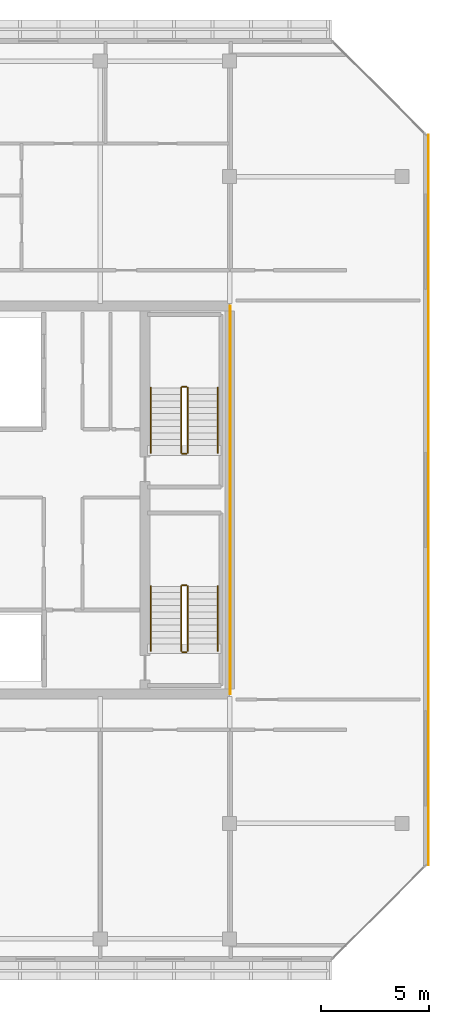
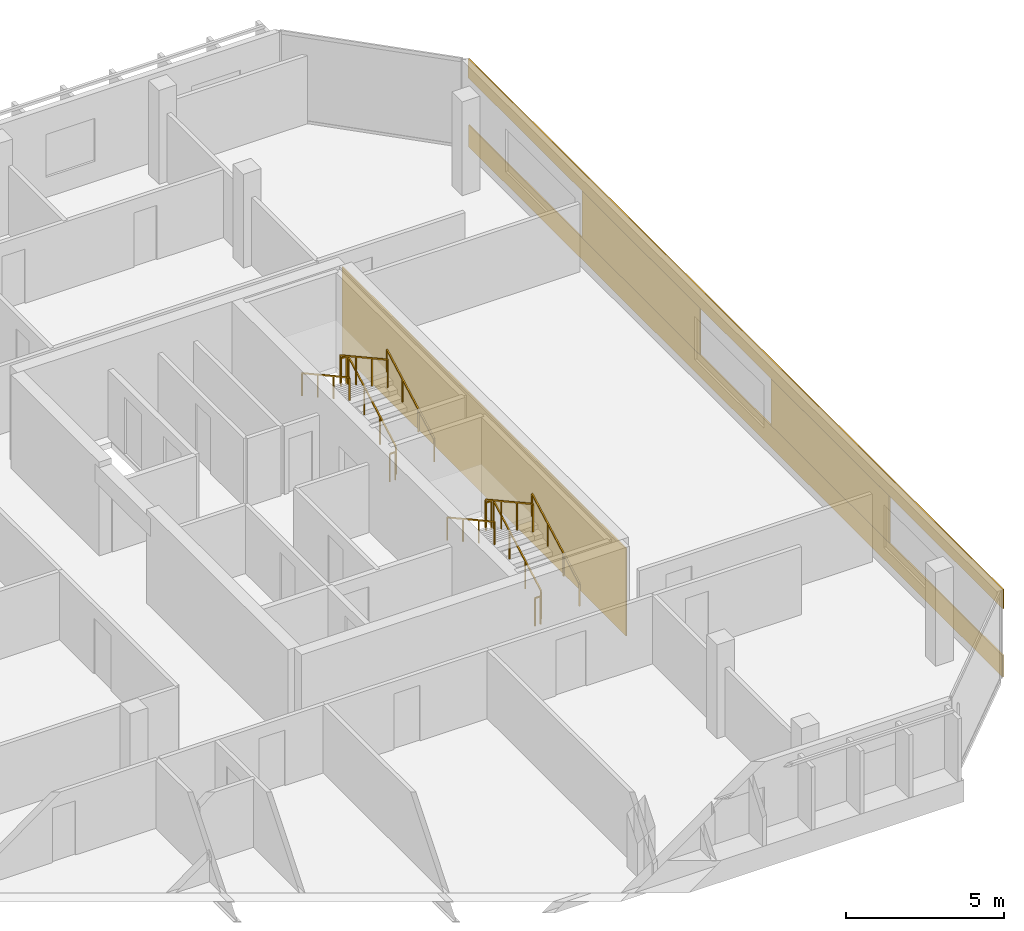
# One storey, part 28 of 28: 12 railings, 5 coverings.
"""IFC4 building model written with IfcOpenShell, lengths in metres."""

from ifc_helpers import new_model, si_unit, direction, frame, origin, origin_2d, place, context, subcontext, project, spatial, rectangle, extrude, material, layer, layer_set, type_object, element, save


model = new_model("IFC4")

# Units and contexts
model_context = context("Model", 3, precision=1e-05, world=origin(), true_north=direction((0.0, 1.0)))
body_context = subcontext(model_context, "Body", "Model", "MODEL_VIEW")
ifc_project = project(units=[si_unit("LENGTHUNIT", "METRE"), si_unit("AREAUNIT", "SQUARE_METRE"), si_unit("VOLUMEUNIT", "CUBIC_METRE"), si_unit("PLANEANGLEUNIT", "RADIAN"), si_unit("MASSUNIT", "GRAM", prefix="KILO")], contexts=[model_context])

# Site, building, storey
site_placement = place(None, origin())
site = spatial("IfcSite", under=ifc_project, at=site_placement, CompositionType="ELEMENT")
building_placement = place(site_placement, origin())
building = spatial("IfcBuilding", under=site, at=building_placement, Name="Tanjung Sevakor Pilgrim Tower", CompositionType="ELEMENT")
storey_placement = place(building_placement, frame((0.0, 0.0, 242.550048828125)))
storey = spatial("IfcBuildingStorey", under=building, at=storey_placement, Name="L68", CompositionType="ELEMENT", Elevation=242.550048828125)

# Coverings
ifc_material_1 = material(Name="Reconstructed Limestone Cladding", Category="masonry")
ifc_layer = layer(ifc_material_1, 0.044921875)
ifc_layer_set = layer_set([ifc_layer], Name="COV-CLAD-LIMESTONE")
covering_type = type_object("IfcCoveringType", Name="COV-CLAD-LIMESTONE", PredefinedType="CLADDING", material=ifc_layer_set)
covering_1_placement = place(storey_placement, frame((99.222412109375, 33.60009765625, 0.009765625), z_axis=(0.0, 0.0, 1.0), x_axis=(0.0, 1.0, 0.0)))
element("IfcCovering", 1, at=covering_1_placement, inside=storey, type_object=covering_type, Name="L68 Warm Limestone Sill Spandrel EW-L68-EAST-3-1", PredefinedType="CLADDING", context=body_context, shape_type="SweptSolid", body=[
    extrude(rectangle(XDim=33.828857421875, YDim=0.044921875, at=origin_2d()), origin(), (0.0, 0.0, 1.0), 0.840087890625),
])
covering_2_placement = place(storey_placement, frame((99.222412109375, 33.60009765625, 2.66015625), z_axis=(0.0, 0.0, 1.0), x_axis=(0.0, 1.0, 0.0)))
element("IfcCovering", 2, at=covering_2_placement, inside=storey, type_object=covering_type, Name="L68 Warm Limestone Cornice Spandrel EW-L68-EAST-3", PredefinedType="CLADDING", context=body_context, shape_type="SweptSolid", body=[
    extrude(rectangle(XDim=33.868896484375, YDim=0.044921875, at=origin_2d()), origin(), (0.0, 0.0, 1.0), 0.739990234375),
])
for number, where, z_axis, x_axis, name in (
    (3, (99.222412109375, 27.60888671875, 0.849853515625), (0.0, 0.0, 1.0), (0.0, 1.0, 0.0), "L68 Warm Limestone Pier Panel EW-L68-EAST-3-1"),
    (4, (99.222412109375, 39.591064453125, 0.849853515625), (0.0, 0.0, 1.0), (0.0, 1.0, 0.0), "L68 Warm Limestone Pier Panel EW-L68-EAST-3-2"),
):
    element("IfcCovering", number, at=place(storey_placement, frame(where, z_axis=z_axis, x_axis=x_axis)), inside=storey, type_object=covering_type, Name=name, PredefinedType="CLADDING", context=body_context, shape_type="SweptSolid", body=[
        extrude(rectangle(XDim=7.482177734375, YDim=0.044921875, at=origin_2d()), origin(), (0.0, 0.0, 1.0), 1.81005859375),
    ])
covering_3_placement = place(storey_placement, frame((90.0224609375, 33.60009765625, 0.019775390625), z_axis=(0.0, 0.0, 1.0), x_axis=(1.0, 0.0, 0.0)))
element("IfcCovering", 5, at=covering_3_placement, inside=storey, type_object=covering_type, Name="L68 Expressed Core Warm Limestone Cladding E", PredefinedType="CLADDING", context=body_context, shape_type="SweptSolid", body=[
    extrude(rectangle(XDim=0.044921875, YDim=18.0, at=origin_2d()), origin(), (0.0, 0.0, 1.0), 3.3701171875),
])

# Railings
ifc_material_2 = material(Name="Steel S355J2", Category="steel")
railing_type_1 = type_object("IfcRailingType", Name="RL-STAIR-GUARD", PredefinedType="GUARDRAIL", material=ifc_material_2)
railing_1_placement = place(storey_placement, frame((88.050048828125, 26.60009765625, 0.1650390625)))
element("IfcRailing", 6, at=railing_1_placement, inside=storey, type_object=railing_type_1, Name="L68 TS-E1 stair guard 1", PredefinedType="GUARDRAIL", context=body_context, shape_type="SweptSolid", body=[
    extrude(rectangle(XDim=0.0479, YDim=0.0479), frame((0.0, 0.0, 1.076171875), z_axis=(0.0, 0.876227952683, 0.48189685093), x_axis=(-1.0, 0.0, 0.0)), (0.0, 0.0, 1.0), 3.423828125),
    extrude(rectangle(XDim=0.042, YDim=0.042), origin(), (0.0, 0.0, 1.0), 1.052001953125),
    extrude(rectangle(XDim=0.042, YDim=0.042), frame((0.0, 1.0, 0.550048828125)), (0.0, 0.0, 1.0), 1.052001953125),
    extrude(rectangle(XDim=0.042, YDim=0.042), frame((0.0, 2.0, 1.099853515625)), (0.0, 0.0, 1.0), 1.052001953125),
    extrude(rectangle(XDim=0.042, YDim=0.042), frame((0.0, 3.0, 1.64990234375)), (0.0, 0.0, 1.0), 1.052001953125),
])
railing_2_placement = place(storey_placement, frame((88.0, 29.64990234375, 1.81494140625)))
element("IfcRailing", 7, at=railing_2_placement, inside=storey, type_object=railing_type_1, Name="L68 TS-E1 stair guard 2", PredefinedType="GUARDRAIL", context=body_context, shape_type="SweptSolid", body=[
    extrude(rectangle(XDim=0.0479, YDim=0.0479), frame((0.0, 0.0, 1.076171875), z_axis=(-1.0, 0.0, 0.0), x_axis=(0.0, -1.0, 0.0)), (0.0, 0.0, 1.0), 0.199951171875),
    extrude(rectangle(XDim=0.042, YDim=0.042), origin(), (0.0, 0.0, 1.0), 1.052001953125),
    extrude(rectangle(XDim=0.042, YDim=0.042), frame((-0.199951171875, 0.0, 0.0)), (0.0, 0.0, 1.0), 1.052001953125),
])
railing_3_placement = place(storey_placement, frame((87.75, 29.60009765625, 1.97998046875)))
element("IfcRailing", 8, at=railing_3_placement, inside=storey, type_object=railing_type_1, Name="L68 TS-E1 stair guard 3", PredefinedType="GUARDRAIL", context=body_context, shape_type="SweptSolid", body=[
    extrude(rectangle(XDim=0.0479, YDim=0.0479), frame((0.0, 0.0, 1.076171875), z_axis=(0.0, -0.876227952683, 0.48189685093), x_axis=(1.0, 0.0, 0.0)), (0.0, 0.0, 1.0), 3.423828125),
    extrude(rectangle(XDim=0.042, YDim=0.042), origin(), (0.0, 0.0, 1.0), 1.052001953125),
    extrude(rectangle(XDim=0.042, YDim=0.042), frame((0.0, -1.0, 0.550048828125)), (0.0, 0.0, 1.0), 1.052001953125),
    extrude(rectangle(XDim=0.042, YDim=0.042), frame((0.0, -2.0, 1.099853515625)), (0.0, 0.0, 1.0), 1.052001953125),
    extrude(rectangle(XDim=0.042, YDim=0.042), frame((0.0, -3.0, 1.64990234375)), (0.0, 0.0, 1.0), 1.052001953125),
])
railing_4_placement = place(storey_placement, frame((88.0, 26.550048828125, 0.0)))
element("IfcRailing", 9, at=railing_4_placement, inside=storey, type_object=railing_type_1, Name="L68 TS-E1 stair guard 4", PredefinedType="GUARDRAIL", context=body_context, shape_type="SweptSolid", body=[
    extrude(rectangle(XDim=0.0479, YDim=0.0479), frame((0.0, 0.0, 1.076171875), z_axis=(-1.0, 0.0, 0.0), x_axis=(0.0, -1.0, 0.0)), (0.0, 0.0, 1.0), 0.199951171875),
    extrude(rectangle(XDim=0.042, YDim=0.042), origin(), (0.0, 0.0, 1.0), 1.052001953125),
    extrude(rectangle(XDim=0.042, YDim=0.042), frame((-0.199951171875, 0.0, 0.0)), (0.0, 0.0, 1.0), 1.052001953125),
])
railing_5_placement = place(storey_placement, frame((88.050048828125, 35.800048828125, 0.1650390625)))
element("IfcRailing", 10, at=railing_5_placement, inside=storey, type_object=railing_type_1, Name="L68 TS-E2 stair guard 1", PredefinedType="GUARDRAIL", context=body_context, shape_type="SweptSolid", body=[
    extrude(rectangle(XDim=0.0479, YDim=0.0479), frame((0.0, 0.0, 1.076171875), z_axis=(0.0, 0.876227952683, 0.48189685093), x_axis=(-1.0, 0.0, 0.0)), (0.0, 0.0, 1.0), 3.423828125),
    extrude(rectangle(XDim=0.042, YDim=0.042), origin(), (0.0, 0.0, 1.0), 1.052001953125),
    extrude(rectangle(XDim=0.042, YDim=0.042), frame((0.0, 1.0, 0.550048828125)), (0.0, 0.0, 1.0), 1.052001953125),
    extrude(rectangle(XDim=0.042, YDim=0.042), frame((0.0, 2.0, 1.099853515625)), (0.0, 0.0, 1.0), 1.052001953125),
    extrude(rectangle(XDim=0.042, YDim=0.042), frame((0.0, 3.0, 1.64990234375)), (0.0, 0.0, 1.0), 1.052001953125),
])
railing_6_placement = place(storey_placement, frame((88.0, 38.85009765625, 1.81494140625)))
element("IfcRailing", 11, at=railing_6_placement, inside=storey, type_object=railing_type_1, Name="L68 TS-E2 stair guard 2", PredefinedType="GUARDRAIL", context=body_context, shape_type="SweptSolid", body=[
    extrude(rectangle(XDim=0.0479, YDim=0.0479), frame((0.0, 0.0, 1.076171875), z_axis=(-1.0, 0.0, 0.0), x_axis=(0.0, -1.0, 0.0)), (0.0, 0.0, 1.0), 0.199951171875),
    extrude(rectangle(XDim=0.042, YDim=0.042), origin(), (0.0, 0.0, 1.0), 1.052001953125),
    extrude(rectangle(XDim=0.042, YDim=0.042), frame((-0.199951171875, 0.0, 0.0)), (0.0, 0.0, 1.0), 1.052001953125),
])
railing_7_placement = place(storey_placement, frame((87.75, 38.800048828125, 1.97998046875)))
element("IfcRailing", 12, at=railing_7_placement, inside=storey, type_object=railing_type_1, Name="L68 TS-E2 stair guard 3", PredefinedType="GUARDRAIL", context=body_context, shape_type="SweptSolid", body=[
    extrude(rectangle(XDim=0.0479, YDim=0.0479), frame((0.0, 0.0, 1.076171875), z_axis=(0.0, -0.876227952683, 0.48189685093), x_axis=(1.0, 0.0, 0.0)), (0.0, 0.0, 1.0), 3.423828125),
    extrude(rectangle(XDim=0.042, YDim=0.042), origin(), (0.0, 0.0, 1.0), 1.052001953125),
    extrude(rectangle(XDim=0.042, YDim=0.042), frame((0.0, -1.0, 0.550048828125)), (0.0, 0.0, 1.0), 1.052001953125),
    extrude(rectangle(XDim=0.042, YDim=0.042), frame((0.0, -2.0, 1.099853515625)), (0.0, 0.0, 1.0), 1.052001953125),
    extrude(rectangle(XDim=0.042, YDim=0.042), frame((0.0, -3.0, 1.64990234375)), (0.0, 0.0, 1.0), 1.052001953125),
])
railing_8_placement = place(storey_placement, frame((88.0, 35.75, 0.0)))
element("IfcRailing", 13, at=railing_8_placement, inside=storey, type_object=railing_type_1, Name="L68 TS-E2 stair guard 4", PredefinedType="GUARDRAIL", context=body_context, shape_type="SweptSolid", body=[
    extrude(rectangle(XDim=0.0479, YDim=0.0479), frame((0.0, 0.0, 1.076171875), z_axis=(-1.0, 0.0, 0.0), x_axis=(0.0, -1.0, 0.0)), (0.0, 0.0, 1.0), 0.199951171875),
    extrude(rectangle(XDim=0.042, YDim=0.042), origin(), (0.0, 0.0, 1.0), 1.052001953125),
    extrude(rectangle(XDim=0.042, YDim=0.042), frame((-0.199951171875, 0.0, 0.0)), (0.0, 0.0, 1.0), 1.052001953125),
])
ifc_material_3 = material(Name="Steel S355J2", Category="steel")
railing_type_2 = type_object("IfcRailingType", Name="RL-STAIR-HAND", PredefinedType="HANDRAIL", material=ifc_material_3)
railing_9_placement = place(storey_placement, frame((89.449951171875, 26.60009765625, 0.1650390625)))
element("IfcRailing", 14, at=railing_9_placement, inside=storey, type_object=railing_type_2, Name="L68 TS-E1 stair handrail 1", PredefinedType="HANDRAIL", context=body_context, shape_type="SweptSolid", body=[
    extrude(rectangle(XDim=0.0479, YDim=0.0479), frame((0.0, 0.0, 0.8759765625), z_axis=(0.0, 0.876227952683, 0.48189685093), x_axis=(-1.0, 0.0, 0.0)), (0.0, 0.0, 1.0), 3.423828125),
    extrude(rectangle(XDim=0.042, YDim=0.042), origin(), (0.0, 0.0, 1.0), 0.851806640625),
    extrude(rectangle(XDim=0.042, YDim=0.042), frame((0.0, 1.0, 0.550048828125)), (0.0, 0.0, 1.0), 0.851806640625),
    extrude(rectangle(XDim=0.042, YDim=0.042), frame((0.0, 2.0, 1.099853515625)), (0.0, 0.0, 1.0), 0.851806640625),
    extrude(rectangle(XDim=0.042, YDim=0.042), frame((0.0, 3.0, 1.64990234375)), (0.0, 0.0, 1.0), 0.851806640625),
])
railing_10_placement = place(storey_placement, frame((86.35009765625, 29.60009765625, 1.97998046875)))
element("IfcRailing", 15, at=railing_10_placement, inside=storey, type_object=railing_type_2, Name="L68 TS-E1 stair handrail 2", PredefinedType="HANDRAIL", context=body_context, shape_type="SweptSolid", body=[
    extrude(rectangle(XDim=0.0479, YDim=0.0479), frame((0.0, 0.0, 0.8759765625), z_axis=(0.0, -0.876227952683, 0.48189685093), x_axis=(1.0, 0.0, 0.0)), (0.0, 0.0, 1.0), 3.423828125),
    extrude(rectangle(XDim=0.042, YDim=0.042), origin(), (0.0, 0.0, 1.0), 0.851806640625),
    extrude(rectangle(XDim=0.042, YDim=0.042), frame((0.0, -1.0, 0.550048828125)), (0.0, 0.0, 1.0), 0.851806640625),
    extrude(rectangle(XDim=0.042, YDim=0.042), frame((0.0, -2.0, 1.099853515625)), (0.0, 0.0, 1.0), 0.851806640625),
    extrude(rectangle(XDim=0.042, YDim=0.042), frame((0.0, -3.0, 1.64990234375)), (0.0, 0.0, 1.0), 0.851806640625),
])
railing_11_placement = place(storey_placement, frame((89.449951171875, 35.800048828125, 0.1650390625)))
element("IfcRailing", 16, at=railing_11_placement, inside=storey, type_object=railing_type_2, Name="L68 TS-E2 stair handrail 1", PredefinedType="HANDRAIL", context=body_context, shape_type="SweptSolid", body=[
    extrude(rectangle(XDim=0.0479, YDim=0.0479), frame((0.0, 0.0, 0.8759765625), z_axis=(0.0, 0.876227952683, 0.48189685093), x_axis=(-1.0, 0.0, 0.0)), (0.0, 0.0, 1.0), 3.423828125),
    extrude(rectangle(XDim=0.042, YDim=0.042), origin(), (0.0, 0.0, 1.0), 0.851806640625),
    extrude(rectangle(XDim=0.042, YDim=0.042), frame((0.0, 1.0, 0.550048828125)), (0.0, 0.0, 1.0), 0.851806640625),
    extrude(rectangle(XDim=0.042, YDim=0.042), frame((0.0, 2.0, 1.099853515625)), (0.0, 0.0, 1.0), 0.851806640625),
    extrude(rectangle(XDim=0.042, YDim=0.042), frame((0.0, 3.0, 1.64990234375)), (0.0, 0.0, 1.0), 0.851806640625),
])
railing_12_placement = place(storey_placement, frame((86.35009765625, 38.800048828125, 1.97998046875)))
element("IfcRailing", 17, at=railing_12_placement, inside=storey, type_object=railing_type_2, Name="L68 TS-E2 stair handrail 2", PredefinedType="HANDRAIL", context=body_context, shape_type="SweptSolid", body=[
    extrude(rectangle(XDim=0.0479, YDim=0.0479), frame((0.0, 0.0, 0.8759765625), z_axis=(0.0, -0.876227952683, 0.48189685093), x_axis=(1.0, 0.0, 0.0)), (0.0, 0.0, 1.0), 3.423828125),
    extrude(rectangle(XDim=0.042, YDim=0.042), origin(), (0.0, 0.0, 1.0), 0.851806640625),
    extrude(rectangle(XDim=0.042, YDim=0.042), frame((0.0, -1.0, 0.550048828125)), (0.0, 0.0, 1.0), 0.851806640625),
    extrude(rectangle(XDim=0.042, YDim=0.042), frame((0.0, -2.0, 1.099853515625)), (0.0, 0.0, 1.0), 0.851806640625),
    extrude(rectangle(XDim=0.042, YDim=0.042), frame((0.0, -3.0, 1.64990234375)), (0.0, 0.0, 1.0), 0.851806640625),
])

save(model, "model.ifc")
